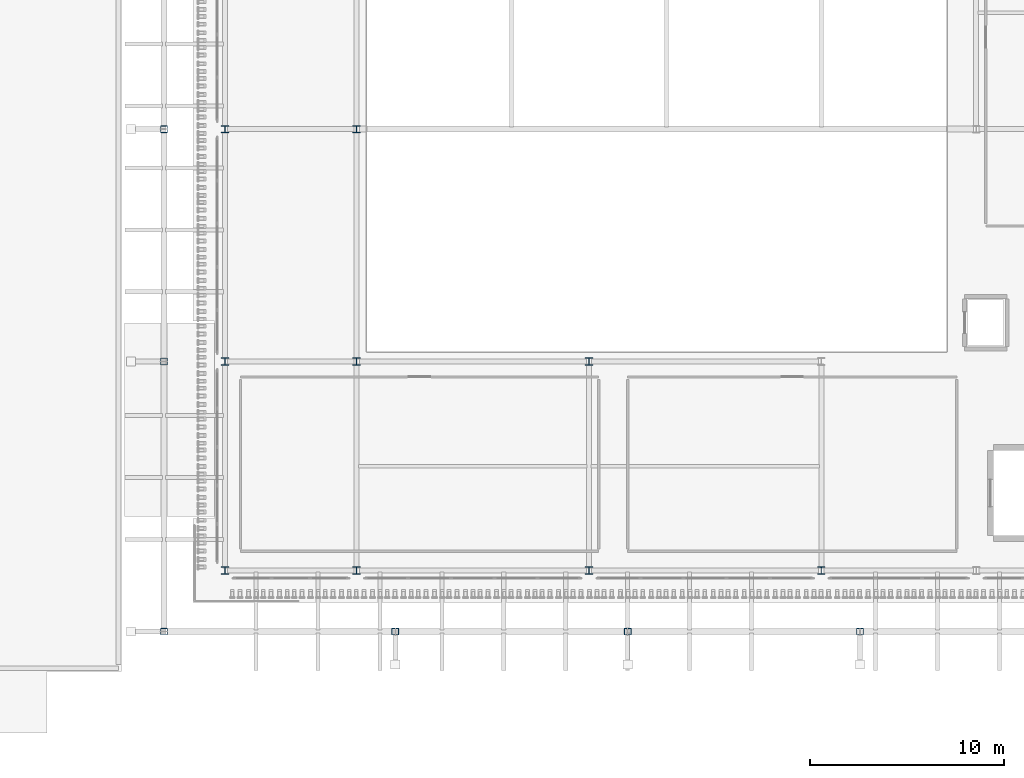
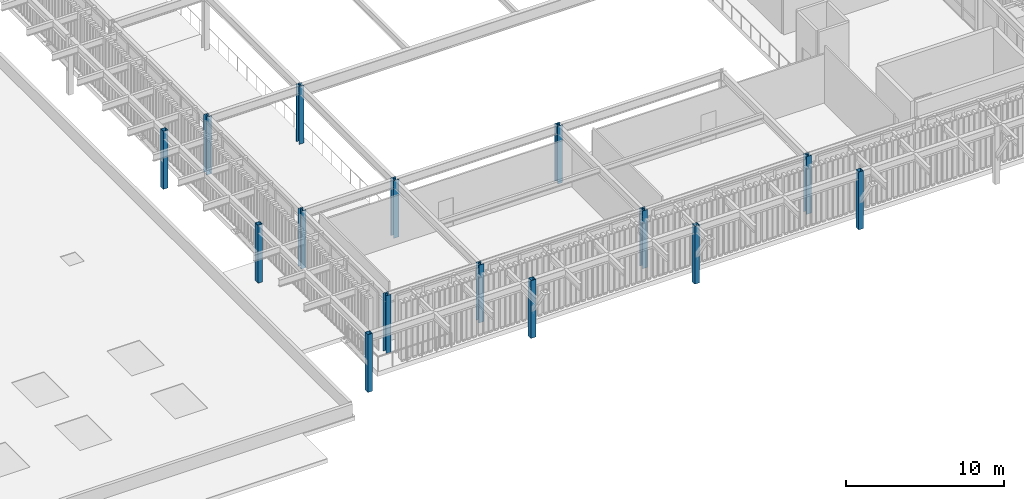
# One storey, part 4 of 126: 15 columns.
"""IFC4 building model written with IfcOpenShell, lengths in metres."""

import ifcopenshell
import ifcopenshell.guid

model = None  # the IFC model being written
_history = None  # IfcOwnerHistory: only IFC2X3 demands one
_inside = {}  # id of a spatial element -> (the spatial element, [elements in it])
_under = {}  # id of a project, library or spatial element -> (it, [spatial elements below it])
_declared = {}  # id of a project -> (the project, [libraries it declares])
_typed = {}  # id of a type object -> (the type object, [elements of that type])
_made_of = {}  # id of a material, layer set ... -> (it, [elements and type objects made of it])


def new_model(schema):
    """Start an empty IFC model of exactly this schema.

    Asked for "IFC4X3", IfcOpenShell would pick the latest addendum, in which some entities
    have other attributes; the version numbers below select the first issue.
    IFC2X3 requires an IfcOwnerHistory on every rooted entity: one is made here for all.
    """
    global model, _history
    if schema == "IFC4X3":
        model = ifcopenshell.file(schema_version=(4, 3, 0, 0))
    else:
        model = ifcopenshell.file(schema=schema)
    _inside.clear()
    _under.clear()
    _declared.clear()
    _typed.clear()
    _made_of.clear()
    _history = None
    if model.schema == "IFC2X3":
        org = make("IfcOrganization", Name="unknown")
        user = make(
            "IfcPersonAndOrganization",
            ThePerson=make("IfcPerson", FamilyName="unknown"),
            TheOrganization=org,
        )
        app = make(
            "IfcApplication",
            ApplicationDeveloper=org,
            Version="unknown",
            ApplicationFullName="unknown",
            ApplicationIdentifier="unknown",
        )
        _history = make(
            "IfcOwnerHistory",
            OwningUser=user,
            OwningApplication=app,
            ChangeAction="ADDED",
            CreationDate=0,
        )
    return model


def make(cls, **values):
    """One entity of the class cls with the attributes given. An attribute that is None is left unset."""
    return model.create_entity(
        cls, **{name: value for name, value in values.items() if value is not None}
    )


def rooted(cls, **values):
    """An entity with a GlobalId (a new one), such as an element, a storey or a relation."""
    return make(cls, GlobalId=ifcopenshell.guid.new(), OwnerHistory=_history, **values)


def si_unit(unit_type, name, prefix=None):
    """IfcSIUnit, for example si_unit("LENGTHUNIT", "METRE", prefix="MILLI")."""
    return make("IfcSIUnit", UnitType=unit_type, Prefix=prefix, Name=name)


def derived_unit(unit_type, elements):
    """IfcDerivedUnit: a product of units, each with its exponent."""
    return make(
        "IfcDerivedUnit",
        Elements=[
            make("IfcDerivedUnitElement", Unit=unit, Exponent=power)
            for unit, power in elements
        ],
        UnitType=unit_type,
    )


def assignment(units):
    """IfcUnitAssignment: the units of a project."""
    return None if units is None else make("IfcUnitAssignment", Units=units)


def point(xyz):
    """IfcCartesianPoint."""
    return None if xyz is None else make("IfcCartesianPoint", Coordinates=xyz)


def direction(xyz):
    """IfcDirection."""
    return None if xyz is None else make("IfcDirection", DirectionRatios=xyz)


def frame(location, z_axis=None, x_axis=None):
    """IfcAxis2Placement3D, a coordinate frame: its origin and axes. An axis left out is left unset."""
    return make(
        "IfcAxis2Placement3D",
        Location=point(location),
        Axis=direction(z_axis),
        RefDirection=direction(x_axis),
    )


def frame_2d(location, x_axis=None):
    """IfcAxis2Placement2D, a coordinate frame in the plane: its origin and x axis."""
    return make(
        "IfcAxis2Placement2D", Location=point(location), RefDirection=direction(x_axis)
    )


def origin():
    """The frame at (0, 0, 0) with its axes left unset."""
    return frame((0.0, 0.0, 0.0))


def origin_2d():
    """The frame at (0, 0) in the plane with its x axis left unset."""
    return frame_2d((0.0, 0.0))


def place(relative_to, where):
    """IfcLocalPlacement: puts the frame where relative to a parent placement (None: the world)."""
    return make(
        "IfcLocalPlacement", PlacementRelTo=relative_to, RelativePlacement=where
    )


def context(
    kind, dimensions, precision=None, world=None, true_north=None, identifier=None
):
    """IfcGeometricRepresentationContext, for example the 3D "Model" context."""
    return make(
        "IfcGeometricRepresentationContext",
        ContextIdentifier=identifier,
        ContextType=kind,
        CoordinateSpaceDimension=dimensions,
        Precision=precision,
        WorldCoordinateSystem=world,
        TrueNorth=true_north,
    )


def subcontext(parent, identifier, kind, view, scale=None):
    """IfcGeometricRepresentationSubContext, for example "Body" below "Model"."""
    return make(
        "IfcGeometricRepresentationSubContext",
        ContextIdentifier=identifier,
        ContextType=kind,
        ParentContext=parent,
        TargetScale=scale,
        TargetView=view,
    )


def project(units=None, contexts=None):
    """IfcProject with its units and contexts."""
    return rooted(
        "IfcProject",
        Name="project",
        RepresentationContexts=contexts,
        UnitsInContext=assignment(units),
    )


def spatial(cls, under=None, at=None, **own):
    """A site, building, storey or space (cls), placed at a placement, below another one or the project."""
    s = rooted(cls, ObjectPlacement=at, **own)
    if under is not None:
        _under.setdefault(under.id(), (under, []))[1].append(s)
    return s


def profile(cls, at=None, kind="AREA", **sizes):
    """A parametric profile (cls). Its sizes go by their IFC names, for example OverallWidth=200.0."""
    return make(cls, ProfileType=kind, Position=at, **sizes)


def hollow_rectangle(**sizes):
    """IfcRectangleHollowProfileDef."""
    return profile("IfcRectangleHollowProfileDef", **sizes)


def i_section(**sizes):
    """IfcIShapeProfileDef."""
    return profile("IfcIShapeProfileDef", **sizes)


def extrude(swept, where, along, depth):
    """IfcExtrudedAreaSolid: the profile swept, set in the frame where, extruded along a direction by depth."""
    return make(
        "IfcExtrudedAreaSolid",
        SweptArea=swept,
        Position=where,
        ExtrudedDirection=direction(along),
        Depth=depth,
    )


def shape(context_of_items, identifier, shape_type, items):
    """IfcShapeRepresentation: the items that make up one representation, for example the "Body"."""
    return make(
        "IfcShapeRepresentation",
        ContextOfItems=context_of_items,
        RepresentationIdentifier=identifier,
        RepresentationType=shape_type,
        Items=items,
    )


def material(Name=None, Category=None):
    """IfcMaterial."""
    return make("IfcMaterial", Name=Name, Category=Category)


def material_profile(
    of_material, cross_section, Name=None, Category=None, Priority=None
):
    """IfcMaterialProfile: a cross section and its material."""
    return make(
        "IfcMaterialProfile",
        Name=Name,
        Material=of_material,
        Profile=cross_section,
        Priority=Priority,
        Category=Category,
    )


def profile_set(profiles, Name=None, composite=None):
    """IfcMaterialProfileSet."""
    return make(
        "IfcMaterialProfileSet",
        Name=Name,
        MaterialProfiles=profiles,
        CompositeProfile=composite,
    )


def made_of(thing, what):
    """Note that an element or type object is made of a material, layer set ...; save() writes the relation."""
    if what is not None:
        _made_of.setdefault(what.id(), (what, []))[1].append(thing)
    return thing


def type_object(cls, material=None, **own):
    """A type object (cls), such as IfcWallType, which elements share."""
    return made_of(rooted(cls, **own), material)


def element(
    cls,
    number,
    at=None,
    inside=None,
    cuts=None,
    type_object=None,
    material=None,
    context=None,
    identifier="Body",
    shape_type=None,
    held_by="IfcProductDefinitionShape",
    body=None,
    shapes=None,
    **own,
):
    """One element of the class cls, such as IfcWall. Its Tag is "e" and its number.

    at: its placement. inside: the storey or other place that contains it. cuts: it is an
    opening in that element (IfcRelVoidsElement). A single representation is given by context,
    identifier, shape_type and body (its items); several are given by shapes. held_by: the class
    of the entity that holds the representations. save() writes the other relations.
    """
    e = rooted(cls, Tag="e%d" % number, ObjectPlacement=at, **own)
    if body is not None:
        shapes = [shape(context, identifier, shape_type, body)]
    if shapes is not None:
        e.Representation = make(held_by, Representations=shapes)
    if inside is not None:
        _inside.setdefault(inside.id(), (inside, []))[1].append(e)
    if cuts is not None:
        rooted(
            "IfcRelVoidsElement", RelatingBuildingElement=cuts, RelatedOpeningElement=e
        )
    if type_object is not None:
        _typed.setdefault(type_object.id(), (type_object, []))[1].append(e)
    return made_of(e, material)


def aggregate(whole, parts):
    """IfcRelAggregates: a whole, such as a stair, and the parts it consists of."""
    return rooted("IfcRelAggregates", RelatingObject=whole, RelatedObjects=parts)


def save(model, path):
    """Write the relations noted so far, then the file.

    IfcRelAggregates (storeys below a building ...), IfcRelContainedInSpatialStructure (elements
    in a storey), IfcRelDefinesByType, IfcRelAssociatesMaterial and IfcRelDeclares: one each for
    every whole, place, type object, material and project.
    """
    for whole, parts in _under.values():
        aggregate(whole, parts)
    for where, things in _inside.values():
        rooted(
            "IfcRelContainedInSpatialStructure",
            RelatedElements=things,
            RelatingStructure=where,
        )
    for kind, things in _typed.values():
        rooted("IfcRelDefinesByType", RelatedObjects=things, RelatingType=kind)
    for what, things in _made_of.values():
        rooted("IfcRelAssociatesMaterial", RelatedObjects=things, RelatingMaterial=what)
    for by, libraries in _declared.values():
        rooted("IfcRelDeclares", RelatingContext=by, RelatedDefinitions=libraries)
    model.write(path)


model = new_model("IFC4")

# Units and contexts
model_context = context("Model", 3, precision=1e-05, world=origin(), true_north=direction((0.0, 1.0)))
body_context = subcontext(model_context, "Body", "Model", "MODEL_VIEW")
ifc_project = project(units=[si_unit("LENGTHUNIT", "METRE"), si_unit("AREAUNIT", "SQUARE_METRE"), si_unit("VOLUMEUNIT", "CUBIC_METRE"), si_unit("PLANEANGLEUNIT", "RADIAN"), si_unit("MASSUNIT", "GRAM", prefix="KILO"), derived_unit("THERMALTRANSMITTANCEUNIT", [(si_unit("MASSUNIT", "GRAM", prefix="KILO"), 1), (si_unit("TIMEUNIT", "SECOND"), -3), (si_unit("THERMODYNAMICTEMPERATUREUNIT", "KELVIN"), -1)])], contexts=[model_context])

# Site, building, storey
site_placement = place(None, origin())
site = spatial("IfcSite", under=ifc_project, at=site_placement, CompositionType="ELEMENT")
building_placement = place(site_placement, origin())
building = spatial("IfcBuilding", under=site, at=building_placement, Name="Valcora Ridge Arena", CompositionType="ELEMENT")
storey_placement = place(building_placement, frame((0.0, 0.0, 11.39990234375)))
storey = spatial("IfcBuildingStorey", under=building, at=storey_placement, Name="L02", CompositionType="ELEMENT", Elevation=11.39990234375)

# Columns
ifc_material_1 = material(Name="Steel ASTM A500 Grade C", Category="steel")
ifc_material_profile_1 = material_profile(ifc_material_1, hollow_rectangle(XDim=0.35009765625, YDim=0.35009765625, WallThickness=0.01611328125, at=origin_2d()), Name="HSS350X350X16")
ifc_profile_set_1 = profile_set([ifc_material_profile_1], Name="Steel ASTM A500 Grade C")
column_type_1 = type_object("IfcColumnType", Name="TY-COLUMN-C-COL350", PredefinedType="COLUMN", material=ifc_profile_set_1)
for number, where, z_axis, x_axis, name in (
    (1, (134.050048828125, 2.050048828125, 0.0), (0.0, 0.0, 1.0), (1.0, 0.0, 0.0), "C-COL350 COL-C-COL350-0003"),
    (2, (134.050048828125, 16.0, 0.0), (0.0, 0.0, 1.0), (1.0, 0.0, 0.0), "C-COL350 COL-C-COL350-0006"),
    (3, (134.050048828125, 28.0, 0.0), (0.0, 0.0, 1.0), (1.0, 0.0, 0.0), "C-COL350 COL-C-COL350-0009"),
    (4, (146.0, 2.050048828125, 0.0), (0.0, 0.0, 1.0), (1.0, 0.0, 0.0), "C-COL350 COL-C-COL350-0045"),
    (5, (158.0, 2.050048828125, 0.0), (0.0, 0.0, 1.0), (1.0, 0.0, 0.0), "C-COL350 COL-C-COL350-0048"),
    (6, (170.0, 2.050048828125, 0.0), (0.0, 0.0, 1.0), (1.0, 0.0, 0.0), "C-COL350 COL-C-COL350-0051"),
):
    element("IfcColumn", number, at=place(storey_placement, frame(where, z_axis=z_axis, x_axis=x_axis)), inside=storey, type_object=column_type_1, Name=name, PredefinedType="COLUMN", context=body_context, shape_type="SweptSolid", body=[
        extrude(hollow_rectangle(XDim=0.35009765625, YDim=0.35009765625, WallThickness=0.01611328125, at=origin_2d()), origin(), (0.0, 0.0, 1.0), 4.47998046875),
    ])
ifc_material_2 = material(Name="Steel ASTM A572 Grade 50", Category="steel")
ifc_material_profile_2 = material_profile(ifc_material_2, i_section(OverallWidth=0.3740234375, OverallDepth=0.373046875, WebThickness=0.016357421875, FlangeThickness=0.026123046875, FilletRadius=0.01806640625, at=origin_2d()), Name="W14X132")
ifc_profile_set_2 = profile_set([ifc_material_profile_2], Name="Steel ASTM A572 Grade 50")
column_type_2 = type_object("IfcColumnType", Name="TY-COLUMN-C-STL14B", PredefinedType="COLUMN", material=ifc_profile_set_2)
for number, where, z_axis, x_axis, name in (
    (7, (137.199951171875, 5.199951171875, 0.0), (0.0, 0.0, 1.0), (1.0, 0.0, 0.0), "C-STL14B COL-C-STL14B-0002"),
    (8, (137.199951171875, 16.0, 0.0), (0.0, 0.0, 1.0), (1.0, 0.0, 0.0), "C-STL14B COL-C-STL14B-0004"),
    (9, (137.199951171875, 28.0, 0.0), (0.0, 0.0, 1.0), (1.0, 0.0, 0.0), "C-STL14B COL-C-STL14B-0006"),
    (10, (144.0, 5.199951171875, 0.0), (0.0, 0.0, 1.0), (1.0, 0.0, 0.0), "C-STL14B COL-C-STL14B-0016"),
    (11, (144.0, 16.0, 0.0), (0.0, 0.0, 1.0), (1.0, 0.0, 0.0), "C-STL14B COL-C-STL14B-0018"),
    (12, (144.0, 28.0, 0.0), (0.0, 0.0, 1.0), (1.0, 0.0, 0.0), "C-STL14B COL-C-STL14B-0020"),
    (13, (156.0, 5.199951171875, 0.0), (0.0, 0.0, 1.0), (1.0, 0.0, 0.0), "C-STL14B COL-C-STL14B-0030"),
    (14, (156.0, 16.0, 0.0), (0.0, 0.0, 1.0), (1.0, 0.0, 0.0), "C-STL14B COL-C-STL14B-0032"),
    (15, (168.0, 5.199951171875, 0.0), (0.0, 0.0, 1.0), (1.0, 0.0, 0.0), "C-STL14B COL-C-STL14B-0038"),
):
    element("IfcColumn", number, at=place(storey_placement, frame(where, z_axis=z_axis, x_axis=x_axis)), inside=storey, type_object=column_type_2, Name=name, PredefinedType="COLUMN", context=body_context, shape_type="SweptSolid", body=[
        extrude(i_section(OverallWidth=0.3740234375, OverallDepth=0.373046875, WebThickness=0.016357421875, FlangeThickness=0.026123046875, FilletRadius=0.01806640625, at=origin_2d()), origin(), (0.0, 0.0, 1.0), 4.47998046875),
    ])

save(model, "model.ifc")
